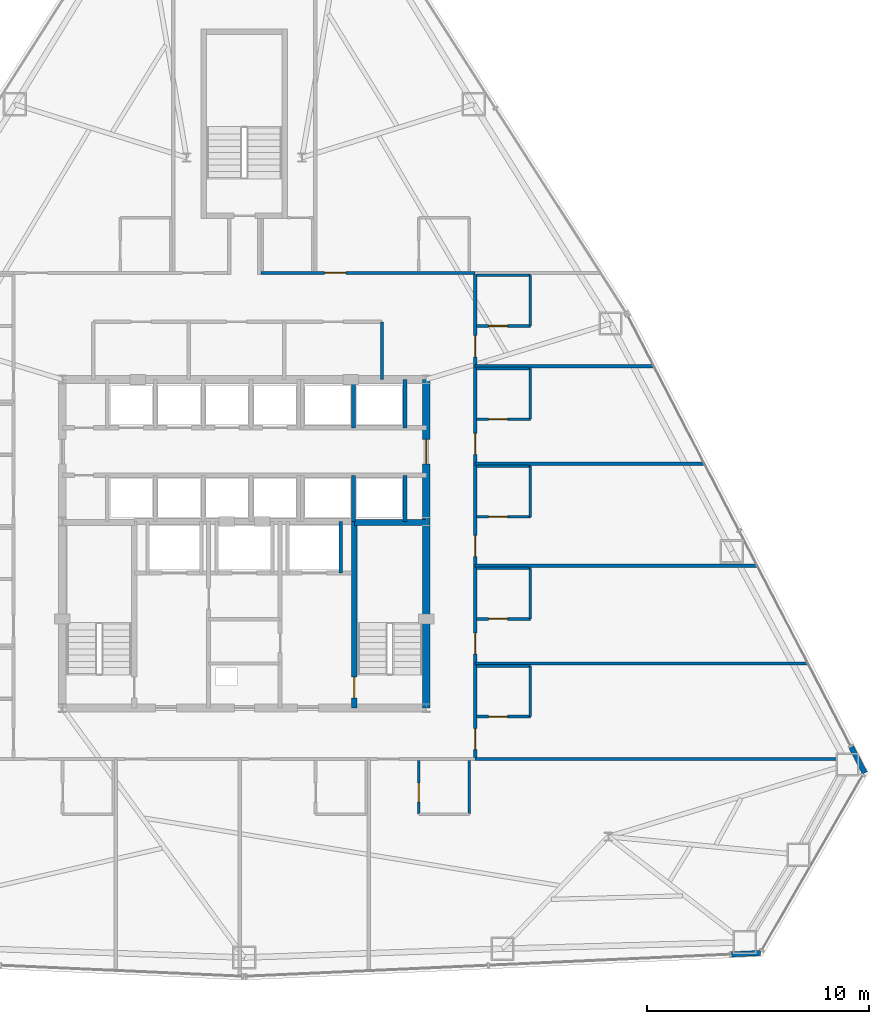
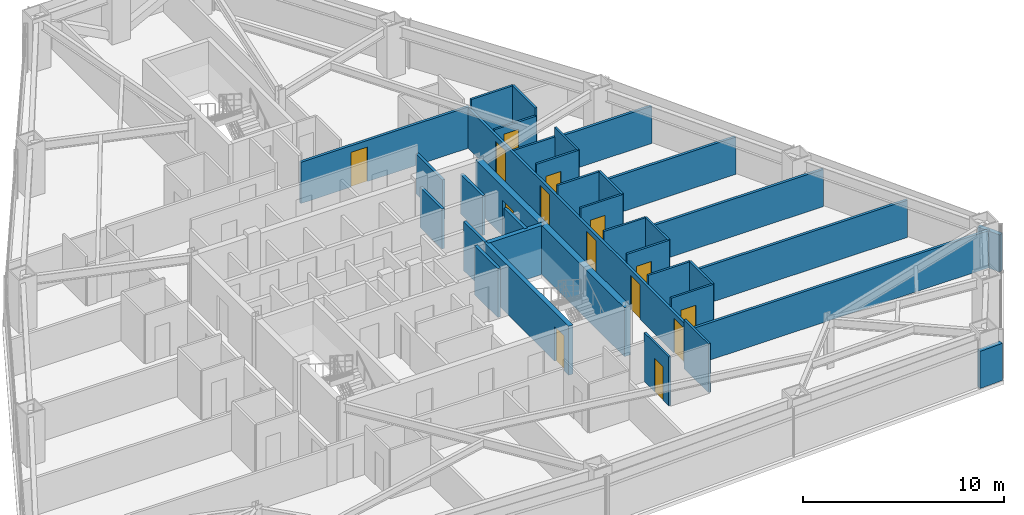
# One storey, part 11 of 13: 35 walls, 14 doors, 14 openings.
"""IFC4 building model written with IfcOpenShell, lengths in metres."""

import ifcopenshell
import ifcopenshell.guid

model = None  # the IFC model being written
_history = None  # IfcOwnerHistory: only IFC2X3 demands one
_inside = {}  # id of a spatial element -> (the spatial element, [elements in it])
_under = {}  # id of a project, library or spatial element -> (it, [spatial elements below it])
_declared = {}  # id of a project -> (the project, [libraries it declares])
_typed = {}  # id of a type object -> (the type object, [elements of that type])
_made_of = {}  # id of a material, layer set ... -> (it, [elements and type objects made of it])


def new_model(schema):
    """Start an empty IFC model of exactly this schema.

    Asked for "IFC4X3", IfcOpenShell would pick the latest addendum, in which some entities
    have other attributes; the version numbers below select the first issue.
    IFC2X3 requires an IfcOwnerHistory on every rooted entity: one is made here for all.
    """
    global model, _history
    if schema == "IFC4X3":
        model = ifcopenshell.file(schema_version=(4, 3, 0, 0))
    else:
        model = ifcopenshell.file(schema=schema)
    _inside.clear()
    _under.clear()
    _declared.clear()
    _typed.clear()
    _made_of.clear()
    _history = None
    if model.schema == "IFC2X3":
        org = make("IfcOrganization", Name="unknown")
        user = make(
            "IfcPersonAndOrganization",
            ThePerson=make("IfcPerson", FamilyName="unknown"),
            TheOrganization=org,
        )
        app = make(
            "IfcApplication",
            ApplicationDeveloper=org,
            Version="unknown",
            ApplicationFullName="unknown",
            ApplicationIdentifier="unknown",
        )
        _history = make(
            "IfcOwnerHistory",
            OwningUser=user,
            OwningApplication=app,
            ChangeAction="ADDED",
            CreationDate=0,
        )
    return model


def make(cls, **values):
    """One entity of the class cls with the attributes given. An attribute that is None is left unset."""
    return model.create_entity(
        cls, **{name: value for name, value in values.items() if value is not None}
    )


def rooted(cls, **values):
    """An entity with a GlobalId (a new one), such as an element, a storey or a relation."""
    return make(cls, GlobalId=ifcopenshell.guid.new(), OwnerHistory=_history, **values)


def si_unit(unit_type, name, prefix=None):
    """IfcSIUnit, for example si_unit("LENGTHUNIT", "METRE", prefix="MILLI")."""
    return make("IfcSIUnit", UnitType=unit_type, Prefix=prefix, Name=name)


def assignment(units):
    """IfcUnitAssignment: the units of a project."""
    return None if units is None else make("IfcUnitAssignment", Units=units)


def point(xyz):
    """IfcCartesianPoint."""
    return None if xyz is None else make("IfcCartesianPoint", Coordinates=xyz)


def direction(xyz):
    """IfcDirection."""
    return None if xyz is None else make("IfcDirection", DirectionRatios=xyz)


def frame(location, z_axis=None, x_axis=None):
    """IfcAxis2Placement3D, a coordinate frame: its origin and axes. An axis left out is left unset."""
    return make(
        "IfcAxis2Placement3D",
        Location=point(location),
        Axis=direction(z_axis),
        RefDirection=direction(x_axis),
    )


def frame_2d(location, x_axis=None):
    """IfcAxis2Placement2D, a coordinate frame in the plane: its origin and x axis."""
    return make(
        "IfcAxis2Placement2D", Location=point(location), RefDirection=direction(x_axis)
    )


def origin():
    """The frame at (0, 0, 0) with its axes left unset."""
    return frame((0.0, 0.0, 0.0))


def place(relative_to, where):
    """IfcLocalPlacement: puts the frame where relative to a parent placement (None: the world)."""
    return make(
        "IfcLocalPlacement", PlacementRelTo=relative_to, RelativePlacement=where
    )


def context(
    kind, dimensions, precision=None, world=None, true_north=None, identifier=None
):
    """IfcGeometricRepresentationContext, for example the 3D "Model" context."""
    return make(
        "IfcGeometricRepresentationContext",
        ContextIdentifier=identifier,
        ContextType=kind,
        CoordinateSpaceDimension=dimensions,
        Precision=precision,
        WorldCoordinateSystem=world,
        TrueNorth=true_north,
    )


def subcontext(parent, identifier, kind, view, scale=None):
    """IfcGeometricRepresentationSubContext, for example "Body" below "Model"."""
    return make(
        "IfcGeometricRepresentationSubContext",
        ContextIdentifier=identifier,
        ContextType=kind,
        ParentContext=parent,
        TargetScale=scale,
        TargetView=view,
    )


def project(units=None, contexts=None):
    """IfcProject with its units and contexts."""
    return rooted(
        "IfcProject",
        Name="project",
        RepresentationContexts=contexts,
        UnitsInContext=assignment(units),
    )


def spatial(cls, under=None, at=None, **own):
    """A site, building, storey or space (cls), placed at a placement, below another one or the project."""
    s = rooted(cls, ObjectPlacement=at, **own)
    if under is not None:
        _under.setdefault(under.id(), (under, []))[1].append(s)
    return s


def profile(cls, at=None, kind="AREA", **sizes):
    """A parametric profile (cls). Its sizes go by their IFC names, for example OverallWidth=200.0."""
    return make(cls, ProfileType=kind, Position=at, **sizes)


def rectangle(**sizes):
    """IfcRectangleProfileDef."""
    return profile("IfcRectangleProfileDef", **sizes)


def extrude(swept, where, along, depth):
    """IfcExtrudedAreaSolid: the profile swept, set in the frame where, extruded along a direction by depth."""
    return make(
        "IfcExtrudedAreaSolid",
        SweptArea=swept,
        Position=where,
        ExtrudedDirection=direction(along),
        Depth=depth,
    )


def shape(context_of_items, identifier, shape_type, items):
    """IfcShapeRepresentation: the items that make up one representation, for example the "Body"."""
    return make(
        "IfcShapeRepresentation",
        ContextOfItems=context_of_items,
        RepresentationIdentifier=identifier,
        RepresentationType=shape_type,
        Items=items,
    )


def material(Name=None, Category=None):
    """IfcMaterial."""
    return make("IfcMaterial", Name=Name, Category=Category)


def layer(
    of_material, thickness, ventilated=None, Name=None, Category=None, Priority=None
):
    """IfcMaterialLayer: one layer of a wall or slab, of a material (None: an air gap)."""
    return make(
        "IfcMaterialLayer",
        Material=of_material,
        LayerThickness=thickness,
        IsVentilated=ventilated,
        Name=Name,
        Category=Category,
        Priority=Priority,
    )


def layer_set(layers, Name=None):
    """IfcMaterialLayerSet."""
    return make("IfcMaterialLayerSet", MaterialLayers=layers, LayerSetName=Name)


def made_of(thing, what):
    """Note that an element or type object is made of a material, layer set ...; save() writes the relation."""
    if what is not None:
        _made_of.setdefault(what.id(), (what, []))[1].append(thing)
    return thing


def type_object(cls, material=None, **own):
    """A type object (cls), such as IfcWallType, which elements share."""
    return made_of(rooted(cls, **own), material)


def element(
    cls,
    number,
    at=None,
    inside=None,
    cuts=None,
    type_object=None,
    material=None,
    context=None,
    identifier="Body",
    shape_type=None,
    held_by="IfcProductDefinitionShape",
    body=None,
    shapes=None,
    **own,
):
    """One element of the class cls, such as IfcWall. Its Tag is "e" and its number.

    at: its placement. inside: the storey or other place that contains it. cuts: it is an
    opening in that element (IfcRelVoidsElement). A single representation is given by context,
    identifier, shape_type and body (its items); several are given by shapes. held_by: the class
    of the entity that holds the representations. save() writes the other relations.
    """
    e = rooted(cls, Tag="e%d" % number, ObjectPlacement=at, **own)
    if body is not None:
        shapes = [shape(context, identifier, shape_type, body)]
    if shapes is not None:
        e.Representation = make(held_by, Representations=shapes)
    if inside is not None:
        _inside.setdefault(inside.id(), (inside, []))[1].append(e)
    if cuts is not None:
        rooted(
            "IfcRelVoidsElement", RelatingBuildingElement=cuts, RelatedOpeningElement=e
        )
    if type_object is not None:
        _typed.setdefault(type_object.id(), (type_object, []))[1].append(e)
    return made_of(e, material)


def fill(opening, filler):
    """IfcRelFillsElement: the door or window that sits in an opening."""
    return rooted(
        "IfcRelFillsElement",
        RelatingOpeningElement=opening,
        RelatedBuildingElement=filler,
    )


def aggregate(whole, parts):
    """IfcRelAggregates: a whole, such as a stair, and the parts it consists of."""
    return rooted("IfcRelAggregates", RelatingObject=whole, RelatedObjects=parts)


def save(model, path):
    """Write the relations noted so far, then the file.

    IfcRelAggregates (storeys below a building ...), IfcRelContainedInSpatialStructure (elements
    in a storey), IfcRelDefinesByType, IfcRelAssociatesMaterial and IfcRelDeclares: one each for
    every whole, place, type object, material and project.
    """
    for whole, parts in _under.values():
        aggregate(whole, parts)
    for where, things in _inside.values():
        rooted(
            "IfcRelContainedInSpatialStructure",
            RelatedElements=things,
            RelatingStructure=where,
        )
    for kind, things in _typed.values():
        rooted("IfcRelDefinesByType", RelatedObjects=things, RelatingType=kind)
    for what, things in _made_of.values():
        rooted("IfcRelAssociatesMaterial", RelatedObjects=things, RelatingMaterial=what)
    for by, libraries in _declared.values():
        rooted("IfcRelDeclares", RelatingContext=by, RelatedDefinitions=libraries)
    model.write(path)


model = new_model("IFC4")

# Units and contexts
model_context = context("Model", 3, precision=1e-05, world=origin(), true_north=direction((0.0, 1.0)))
body_context = subcontext(model_context, "Body", "Model", "MODEL_VIEW")
ifc_project = project(units=[si_unit("LENGTHUNIT", "METRE"), si_unit("AREAUNIT", "SQUARE_METRE"), si_unit("VOLUMEUNIT", "CUBIC_METRE"), si_unit("PLANEANGLEUNIT", "RADIAN"), si_unit("MASSUNIT", "GRAM", prefix="KILO")], contexts=[model_context])

# Site, building, storey
site_placement = place(None, origin())
site = spatial("IfcSite", under=ifc_project, at=site_placement, CompositionType="ELEMENT")
building_placement = place(site_placement, origin())
building = spatial("IfcBuilding", under=site, at=building_placement, Name="Varakhsha Concourse Tower", CompositionType="ELEMENT")
storey_placement = place(building_placement, frame((0.0, 0.0, 83.0)))
storey = spatial("IfcBuildingStorey", under=building, at=storey_placement, Name="L23", CompositionType="ELEMENT", Elevation=83.0)

# Wall, opening, door
ifc_material_1 = material(Name="Concrete fc 65 MPa", Category="concrete")
ifc_layer_1 = layer(ifc_material_1, 0.35009765625, Name="WL-CORE-350")
ifc_layer_set_1 = layer_set([ifc_layer_1], Name="Concrete fc 65 MPa")
wall_type_1 = type_object("IfcWallType", Name="WL-CORE-350", PredefinedType="SHEAR", material=ifc_layer_set_1)
wall_1_placement = place(storey_placement, frame((48.199951171875, 16.39990234375, 0.0), z_axis=(0.0, 0.0, 1.0), x_axis=(0.0, 1.0, 0.0)))
wall_1 = element("IfcWall", 1, at=wall_1_placement, inside=storey, type_object=wall_type_1, Name="L23 Wall CWALL-E-L23", PredefinedType="SHEAR", context=body_context, shape_type="SweptSolid", body=[
    extrude(rectangle(XDim=14.800048828125, YDim=0.35009765625, at=frame_2d((7.39990234375, 0.0))), origin(), (0.0, 0.0, 1.0), 2.969970703125),
])
opening_1_placement = place(wall_1_placement, frame((11.0, 0.0, 0.0)))
opening_1 = element("IfcOpeningElement", 2, at=opening_1_placement, cuts=wall_1, Name="Opening DL-01", PredefinedType="OPENING", context=body_context, shape_type="SweptSolid", body=[
    extrude(rectangle(XDim=1.10009765625, YDim=2.14990234375, at=frame_2d((0.550048828125, 1.074951171875))), frame((0.0, 0.18505859375, 0.0), z_axis=(0.0, -1.0, 0.0), x_axis=(1.0, 0.0, 0.0)), (0.0, 0.0, 1.0), 0.3701171875),
])
ifc_material_2 = material(Name="Anodised Bronze Architectural Aluminium AA 6063-T6", Category="aluminium")
door_type_1 = type_object("IfcDoorType", Name="DR-LOB-1100", OperationType="NOTDEFINED", PredefinedType="DOOR", material=ifc_material_2)
door_1_placement = place(opening_1_placement, origin())
door_1 = element("IfcDoor", 3, at=door_1_placement, inside=storey, type_object=door_type_1, Name="L23 Lift Lobby East Concourse Door", OperationType="SINGLE_SWING_RIGHT", OverallHeight=2.14990234375, OverallWidth=1.10009765625, PredefinedType="DOOR", context=body_context, shape_type="SweptSolid", body=[
    extrude(rectangle(XDim=1.10009765625, YDim=2.14990234375, at=frame_2d((0.550048828125, 1.074951171875))), frame((0.0, 0.02490234375, 0.0), z_axis=(0.0, -1.0, 0.0), x_axis=(1.0, 0.0, 0.0)), (0.0, 0.0, 1.0), 0.050048828125),
])
fill(opening_1, door_1)

# Walls
ifc_material_3 = material(Name="Concrete fc 45 MPa", Category="concrete")
ifc_layer_2 = layer(ifc_material_3, 0.239990234375, Name="WL-EXT-CRN-240")
ifc_layer_set_2 = layer_set([ifc_layer_2], Name="Concrete fc 45 MPa")
wall_type_2 = type_object("IfcWallType", Name="WL-EXT-CRN-240", PredefinedType="SHEAR", material=ifc_layer_set_2)
wall_2_placement = place(storey_placement, frame((61.94921875, 5.297119140625, 0.0), z_axis=(0.0, 0.0, 1.0), x_axis=(0.998967392838, 0.045432896092, 0.0)))
element("IfcWall", 4, at=wall_2_placement, inside=storey, type_object=wall_type_2, Name="L23 Wind-Corner Shoulder Wall F6", PredefinedType="SHEAR", context=body_context, shape_type="SweptSolid", body=[
    extrude(rectangle(XDim=1.316650390625, YDim=0.239990234375, at=frame_2d((0.658203125, 0.0))), origin(), (0.0, 0.0, 1.0), 2.2529296875),
])
wall_3_placement = place(storey_placement, frame((67.951416015625, 13.47314453125, 0.0), z_axis=(0.0, 0.0, 1.0), x_axis=(-0.460138651144, 0.887847071135, 0.0)))
element("IfcWall", 5, at=wall_3_placement, inside=storey, type_object=wall_type_2, Name="L23 Wind-Corner Shoulder Wall F8", PredefinedType="SHEAR", context=body_context, shape_type="SweptSolid", body=[
    extrude(rectangle(XDim=1.3173828125, YDim=0.239990234375, at=frame_2d((0.65869140625, 0.0))), origin(), (0.0, 0.0, 1.0), 2.2529296875),
])

# Wall, opening, door
ifc_material_4 = material(Name="Acoustic Gypsum Board Partition Assembly", Category="gypsum")
ifc_layer_3 = layer(ifc_material_4, 0.1201171875, Name="WL-PART-120")
ifc_layer_set_3 = layer_set([ifc_layer_3], Name="Acoustic Gypsum Board Partition Assembly")
wall_type_3 = type_object("IfcWallType", Name="WL-PART-120", PredefinedType="PARTITIONING", material=ifc_layer_set_3)
wall_4_placement = place(storey_placement, frame((47.860107421875, 11.610107421875, 0.0), z_axis=(0.0, 0.0, 1.0), x_axis=(0.0, 1.0, 0.0)))
wall_4 = element("IfcWall", 6, at=wall_4_placement, inside=storey, type_object=wall_type_3, Name="L23 Wall ENSW-W-L23-H04", PredefinedType="PARTITIONING", context=body_context, shape_type="SweptSolid", body=[
    extrude(rectangle(XDim=2.429931640625, YDim=0.1201171875, at=frame_2d((1.21484375, 0.0))), origin(), (0.0, 0.0, 1.0), 2.969970703125),
])
opening_2_placement = place(wall_4_placement, frame((0.550048828125, 0.0, 0.0)))
opening_2 = element("IfcOpeningElement", 7, at=opening_2_placement, cuts=wall_4, Name="Opening DI-01", PredefinedType="OPENING", context=body_context, shape_type="SweptSolid", body=[
    extrude(rectangle(XDim=0.85009765625, YDim=2.050048828125, at=frame_2d((0.425048828125, 1.02490234375))), frame((0.0, 0.070068359375, 0.0), z_axis=(0.0, -1.0, 0.0), x_axis=(1.0, 0.0, 0.0)), (0.0, 0.0, 1.0), 0.14013671875),
])
ifc_material_5 = material(Name="Architectural Walnut Acoustic Timber Door", Category="wood")
door_type_2 = type_object("IfcDoorType", Name="DR-INT-850", OperationType="NOTDEFINED", PredefinedType="DOOR", material=ifc_material_5)
door_2_placement = place(opening_2_placement, origin())
door_2 = element("IfcDoor", 8, at=door_2_placement, inside=storey, type_object=door_type_2, Name="L23 En-suite Bathroom Door L23-H04", OperationType="SINGLE_SWING_RIGHT", OverallHeight=2.050048828125, OverallWidth=0.85009765625, PredefinedType="DOOR", context=body_context, shape_type="SweptSolid", body=[
    extrude(rectangle(XDim=0.85009765625, YDim=2.050048828125, at=frame_2d((0.425048828125, 1.02490234375))), frame((0.0, 0.02490234375, 0.0), z_axis=(0.0, -1.0, 0.0), x_axis=(1.0, 0.0, 0.0)), (0.0, 0.0, 1.0), 0.050048828125),
])
fill(opening_2, door_2)

# Walls
wall_5_placement = place(storey_placement, frame((50.139892578125, 11.610107421875, 0.0), z_axis=(0.0, 0.0, 1.0), x_axis=(0.0, 1.0, 0.0)))
element("IfcWall", 9, at=wall_5_placement, inside=storey, type_object=wall_type_3, Name="L23 Wall ENSW-E-L23-H04", PredefinedType="PARTITIONING", context=body_context, shape_type="SweptSolid", body=[
    extrude(rectangle(XDim=2.429931640625, YDim=0.1201171875, at=frame_2d((1.21484375, 0.0))), origin(), (0.0, 0.0, 1.0), 2.969970703125),
])
wall_6_placement = place(storey_placement, frame((52.889892578125, 16.010009765625, 0.0), z_axis=(0.0, 0.0, 1.0), x_axis=(0.0, 1.0, 0.0)))
element("IfcWall", 10, at=wall_6_placement, inside=storey, type_object=wall_type_3, Name="L23 Wall ENSW-E-L23-H09", PredefinedType="PARTITIONING", context=body_context, shape_type="SweptSolid", body=[
    extrude(rectangle(XDim=2.280029296875, YDim=0.1201171875, at=frame_2d((1.14013671875, 0.0))), origin(), (0.0, 0.0, 1.0), 2.969970703125),
])

# Wall, opening, door
wall_7_placement = place(storey_placement, frame((50.4599609375, 16.010009765625, 0.0), z_axis=(0.0, 0.0, 1.0), x_axis=(1.0, 0.0, 0.0)))
wall_7 = element("IfcWall", 11, at=wall_7_placement, inside=storey, type_object=wall_type_3, Name="L23 Wall ENSW-S-L23-H09", PredefinedType="PARTITIONING", context=body_context, shape_type="SweptSolid", body=[
    extrude(rectangle(XDim=2.429931640625, YDim=0.1201171875, at=frame_2d((1.21484375, 0.0))), origin(), (0.0, 0.0, 1.0), 2.969970703125),
])
opening_3_placement = place(wall_7_placement, frame((0.550048828125, 0.0, 0.0)))
opening_3 = element("IfcOpeningElement", 12, at=opening_3_placement, cuts=wall_7, Name="Opening DI-01", PredefinedType="OPENING", context=body_context, shape_type="SweptSolid", body=[
    extrude(rectangle(XDim=0.85009765625, YDim=2.050048828125, at=frame_2d((0.425048828125, 1.02490234375))), frame((0.0, 0.070068359375, 0.0), z_axis=(0.0, -1.0, 0.0), x_axis=(1.0, 0.0, 0.0)), (0.0, 0.0, 1.0), 0.14013671875),
])
door_3_placement = place(opening_3_placement, origin())
door_3 = element("IfcDoor", 13, at=door_3_placement, inside=storey, type_object=door_type_2, Name="L23 En-suite Bathroom Door L23-H09", OperationType="SINGLE_SWING_RIGHT", OverallHeight=2.050048828125, OverallWidth=0.85009765625, PredefinedType="DOOR", context=body_context, shape_type="SweptSolid", body=[
    extrude(rectangle(XDim=0.85009765625, YDim=2.050048828125, at=frame_2d((0.425048828125, 1.02490234375))), frame((0.0, 0.02490234375, 0.0), z_axis=(0.0, -1.0, 0.0), x_axis=(1.0, 0.0, 0.0)), (0.0, 0.0, 1.0), 0.050048828125),
])
fill(opening_3, door_3)

# Walls
wall_8_placement = place(storey_placement, frame((50.4599609375, 18.2900390625, 0.0), z_axis=(0.0, 0.0, 1.0), x_axis=(1.0, 0.0, 0.0)))
element("IfcWall", 14, at=wall_8_placement, inside=storey, type_object=wall_type_3, Name="L23 Wall ENSW-N-L23-H09", PredefinedType="PARTITIONING", context=body_context, shape_type="SweptSolid", body=[
    extrude(rectangle(XDim=2.429931640625, YDim=0.1201171875, at=frame_2d((1.21484375, 0.0))), origin(), (0.0, 0.0, 1.0), 2.969970703125),
])
wall_9_placement = place(storey_placement, frame((52.889892578125, 20.409912109375, 0.0), z_axis=(0.0, 0.0, 1.0), x_axis=(0.0, 1.0, 0.0)))
element("IfcWall", 15, at=wall_9_placement, inside=storey, type_object=wall_type_3, Name="L23 Wall ENSW-E-L23-H10", PredefinedType="PARTITIONING", context=body_context, shape_type="SweptSolid", body=[
    extrude(rectangle(XDim=2.280029296875, YDim=0.1201171875, at=frame_2d((1.14013671875, 0.0))), origin(), (0.0, 0.0, 1.0), 2.969970703125),
])

# Wall, opening, door
wall_10_placement = place(storey_placement, frame((50.4599609375, 20.409912109375, 0.0), z_axis=(0.0, 0.0, 1.0), x_axis=(1.0, 0.0, 0.0)))
wall_10 = element("IfcWall", 16, at=wall_10_placement, inside=storey, type_object=wall_type_3, Name="L23 Wall ENSW-S-L23-H10", PredefinedType="PARTITIONING", context=body_context, shape_type="SweptSolid", body=[
    extrude(rectangle(XDim=2.429931640625, YDim=0.1201171875, at=frame_2d((1.21484375, 0.0))), origin(), (0.0, 0.0, 1.0), 2.969970703125),
])
opening_4_placement = place(wall_10_placement, frame((0.550048828125, 0.0, 0.0)))
opening_4 = element("IfcOpeningElement", 17, at=opening_4_placement, cuts=wall_10, Name="Opening DI-01", PredefinedType="OPENING", context=body_context, shape_type="SweptSolid", body=[
    extrude(rectangle(XDim=0.85009765625, YDim=2.050048828125, at=frame_2d((0.425048828125, 1.02490234375))), frame((0.0, 0.070068359375, 0.0), z_axis=(0.0, -1.0, 0.0), x_axis=(1.0, 0.0, 0.0)), (0.0, 0.0, 1.0), 0.14013671875),
])
door_4_placement = place(opening_4_placement, origin())
door_4 = element("IfcDoor", 18, at=door_4_placement, inside=storey, type_object=door_type_2, Name="L23 En-suite Bathroom Door L23-H10", OperationType="SINGLE_SWING_RIGHT", OverallHeight=2.050048828125, OverallWidth=0.85009765625, PredefinedType="DOOR", context=body_context, shape_type="SweptSolid", body=[
    extrude(rectangle(XDim=0.85009765625, YDim=2.050048828125, at=frame_2d((0.425048828125, 1.02490234375))), frame((0.0, 0.02490234375, 0.0), z_axis=(0.0, -1.0, 0.0), x_axis=(1.0, 0.0, 0.0)), (0.0, 0.0, 1.0), 0.050048828125),
])
fill(opening_4, door_4)

# Walls
wall_11_placement = place(storey_placement, frame((50.4599609375, 22.68994140625, 0.0), z_axis=(0.0, 0.0, 1.0), x_axis=(1.0, 0.0, 0.0)))
element("IfcWall", 19, at=wall_11_placement, inside=storey, type_object=wall_type_3, Name="L23 Wall ENSW-N-L23-H10", PredefinedType="PARTITIONING", context=body_context, shape_type="SweptSolid", body=[
    extrude(rectangle(XDim=2.429931640625, YDim=0.1201171875, at=frame_2d((1.21484375, 0.0))), origin(), (0.0, 0.0, 1.0), 2.969970703125),
])
wall_12_placement = place(storey_placement, frame((52.889892578125, 25.010009765625, 0.0), z_axis=(0.0, 0.0, 1.0), x_axis=(0.0, 1.0, 0.0)))
element("IfcWall", 20, at=wall_12_placement, inside=storey, type_object=wall_type_3, Name="L23 Wall ENSW-E-L23-H11", PredefinedType="PARTITIONING", context=body_context, shape_type="SweptSolid", body=[
    extrude(rectangle(XDim=2.280029296875, YDim=0.1201171875, at=frame_2d((1.14013671875, 0.0))), origin(), (0.0, 0.0, 1.0), 2.969970703125),
])

# Wall, opening, door
wall_13_placement = place(storey_placement, frame((50.4599609375, 25.010009765625, 0.0), z_axis=(0.0, 0.0, 1.0), x_axis=(1.0, 0.0, 0.0)))
wall_13 = element("IfcWall", 21, at=wall_13_placement, inside=storey, type_object=wall_type_3, Name="L23 Wall ENSW-S-L23-H11", PredefinedType="PARTITIONING", context=body_context, shape_type="SweptSolid", body=[
    extrude(rectangle(XDim=2.429931640625, YDim=0.1201171875, at=frame_2d((1.21484375, 0.0))), origin(), (0.0, 0.0, 1.0), 2.969970703125),
])
opening_5_placement = place(wall_13_placement, frame((0.550048828125, 0.0, 0.0)))
opening_5 = element("IfcOpeningElement", 22, at=opening_5_placement, cuts=wall_13, Name="Opening DI-01", PredefinedType="OPENING", context=body_context, shape_type="SweptSolid", body=[
    extrude(rectangle(XDim=0.85009765625, YDim=2.050048828125, at=frame_2d((0.425048828125, 1.02490234375))), frame((0.0, 0.070068359375, 0.0), z_axis=(0.0, -1.0, 0.0), x_axis=(1.0, 0.0, 0.0)), (0.0, 0.0, 1.0), 0.14013671875),
])
door_5_placement = place(opening_5_placement, origin())
door_5 = element("IfcDoor", 23, at=door_5_placement, inside=storey, type_object=door_type_2, Name="L23 En-suite Bathroom Door L23-H11", OperationType="SINGLE_SWING_RIGHT", OverallHeight=2.050048828125, OverallWidth=0.85009765625, PredefinedType="DOOR", context=body_context, shape_type="SweptSolid", body=[
    extrude(rectangle(XDim=0.85009765625, YDim=2.050048828125, at=frame_2d((0.425048828125, 1.02490234375))), frame((0.0, 0.02490234375, 0.0), z_axis=(0.0, -1.0, 0.0), x_axis=(1.0, 0.0, 0.0)), (0.0, 0.0, 1.0), 0.050048828125),
])
fill(opening_5, door_5)

# Walls
wall_14_placement = place(storey_placement, frame((50.4599609375, 27.2900390625, 0.0), z_axis=(0.0, 0.0, 1.0), x_axis=(1.0, 0.0, 0.0)))
element("IfcWall", 24, at=wall_14_placement, inside=storey, type_object=wall_type_3, Name="L23 Wall ENSW-N-L23-H11", PredefinedType="PARTITIONING", context=body_context, shape_type="SweptSolid", body=[
    extrude(rectangle(XDim=2.429931640625, YDim=0.1201171875, at=frame_2d((1.21484375, 0.0))), origin(), (0.0, 0.0, 1.0), 2.969970703125),
])
wall_15_placement = place(storey_placement, frame((52.889892578125, 29.409912109375, 0.0), z_axis=(0.0, 0.0, 1.0), x_axis=(0.0, 1.0, 0.0)))
element("IfcWall", 25, at=wall_15_placement, inside=storey, type_object=wall_type_3, Name="L23 Wall ENSW-E-L23-H12", PredefinedType="PARTITIONING", context=body_context, shape_type="SweptSolid", body=[
    extrude(rectangle(XDim=2.280029296875, YDim=0.1201171875, at=frame_2d((1.14013671875, 0.0))), origin(), (0.0, 0.0, 1.0), 2.969970703125),
])

# Wall, opening, door
wall_16_placement = place(storey_placement, frame((50.4599609375, 29.409912109375, 0.0), z_axis=(0.0, 0.0, 1.0), x_axis=(1.0, 0.0, 0.0)))
wall_16 = element("IfcWall", 26, at=wall_16_placement, inside=storey, type_object=wall_type_3, Name="L23 Wall ENSW-S-L23-H12", PredefinedType="PARTITIONING", context=body_context, shape_type="SweptSolid", body=[
    extrude(rectangle(XDim=2.429931640625, YDim=0.1201171875, at=frame_2d((1.21484375, 0.0))), origin(), (0.0, 0.0, 1.0), 2.969970703125),
])
opening_6_placement = place(wall_16_placement, frame((0.550048828125, 0.0, 0.0)))
opening_6 = element("IfcOpeningElement", 27, at=opening_6_placement, cuts=wall_16, Name="Opening DI-01", PredefinedType="OPENING", context=body_context, shape_type="SweptSolid", body=[
    extrude(rectangle(XDim=0.85009765625, YDim=2.050048828125, at=frame_2d((0.425048828125, 1.02490234375))), frame((0.0, 0.070068359375, 0.0), z_axis=(0.0, -1.0, 0.0), x_axis=(1.0, 0.0, 0.0)), (0.0, 0.0, 1.0), 0.14013671875),
])
door_6_placement = place(opening_6_placement, origin())
door_6 = element("IfcDoor", 28, at=door_6_placement, inside=storey, type_object=door_type_2, Name="L23 En-suite Bathroom Door L23-H12", OperationType="SINGLE_SWING_RIGHT", OverallHeight=2.050048828125, OverallWidth=0.85009765625, PredefinedType="DOOR", context=body_context, shape_type="SweptSolid", body=[
    extrude(rectangle(XDim=0.85009765625, YDim=2.050048828125, at=frame_2d((0.425048828125, 1.02490234375))), frame((0.0, 0.02490234375, 0.0), z_axis=(0.0, -1.0, 0.0), x_axis=(1.0, 0.0, 0.0)), (0.0, 0.0, 1.0), 0.050048828125),
])
fill(opening_6, door_6)

# Walls
wall_17_placement = place(storey_placement, frame((50.4599609375, 31.68994140625, 0.0), z_axis=(0.0, 0.0, 1.0), x_axis=(1.0, 0.0, 0.0)))
element("IfcWall", 29, at=wall_17_placement, inside=storey, type_object=wall_type_3, Name="L23 Wall ENSW-N-L23-H12", PredefinedType="PARTITIONING", context=body_context, shape_type="SweptSolid", body=[
    extrude(rectangle(XDim=2.429931640625, YDim=0.1201171875, at=frame_2d((1.21484375, 0.0))), origin(), (0.0, 0.0, 1.0), 2.4208984375),
])
wall_18_placement = place(storey_placement, frame((52.889892578125, 33.610107421875, 0.0), z_axis=(0.0, 0.0, 1.0), x_axis=(0.0, 1.0, 0.0)))
element("IfcWall", 30, at=wall_18_placement, inside=storey, type_object=wall_type_3, Name="L23 Wall ENSW-E-L23-H13", PredefinedType="PARTITIONING", context=body_context, shape_type="SweptSolid", body=[
    extrude(rectangle(XDim=2.27978515625, YDim=0.1201171875, at=frame_2d((1.139892578125, 0.0))), origin(), (0.0, 0.0, 1.0), 2.969970703125),
])

# Wall, opening, door
wall_19_placement = place(storey_placement, frame((50.4599609375, 33.610107421875, 0.0), z_axis=(0.0, 0.0, 1.0), x_axis=(1.0, 0.0, 0.0)))
wall_19 = element("IfcWall", 31, at=wall_19_placement, inside=storey, type_object=wall_type_3, Name="L23 Wall ENSW-S-L23-H13", PredefinedType="PARTITIONING", context=body_context, shape_type="SweptSolid", body=[
    extrude(rectangle(XDim=2.429931640625, YDim=0.1201171875, at=frame_2d((1.21484375, 0.0))), origin(), (0.0, 0.0, 1.0), 2.5029296875),
])
opening_7_placement = place(wall_19_placement, frame((0.550048828125, 0.0, 0.0)))
opening_7 = element("IfcOpeningElement", 32, at=opening_7_placement, cuts=wall_19, Name="Opening DI-01", PredefinedType="OPENING", context=body_context, shape_type="SweptSolid", body=[
    extrude(rectangle(XDim=0.85009765625, YDim=2.050048828125, at=frame_2d((0.425048828125, 1.02490234375))), frame((0.0, 0.070068359375, 0.0), z_axis=(0.0, -1.0, 0.0), x_axis=(1.0, 0.0, 0.0)), (0.0, 0.0, 1.0), 0.14013671875),
])
door_7_placement = place(opening_7_placement, origin())
door_7 = element("IfcDoor", 33, at=door_7_placement, inside=storey, type_object=door_type_2, Name="L23 En-suite Bathroom Door L23-H13", OperationType="SINGLE_SWING_RIGHT", OverallHeight=2.050048828125, OverallWidth=0.85009765625, PredefinedType="DOOR", context=body_context, shape_type="SweptSolid", body=[
    extrude(rectangle(XDim=0.85009765625, YDim=2.050048828125, at=frame_2d((0.425048828125, 1.02490234375))), frame((0.0, 0.02490234375, 0.0), z_axis=(0.0, -1.0, 0.0), x_axis=(1.0, 0.0, 0.0)), (0.0, 0.0, 1.0), 0.050048828125),
])
fill(opening_7, door_7)

# Walls
wall_20_placement = place(storey_placement, frame((50.4599609375, 35.889892578125, 0.0), z_axis=(0.0, 0.0, 1.0), x_axis=(1.0, 0.0, 0.0)))
element("IfcWall", 34, at=wall_20_placement, inside=storey, type_object=wall_type_3, Name="L23 Wall ENSW-N-L23-H13", PredefinedType="PARTITIONING", context=body_context, shape_type="SweptSolid", body=[
    extrude(rectangle(XDim=2.429931640625, YDim=0.1201171875, at=frame_2d((1.21484375, 0.0))), origin(), (0.0, 0.0, 1.0), 2.969970703125),
])
ifc_material_6 = material(Name="Fire-Rated Type X Gypsum Partition Assembly", Category="gypsum")
ifc_layer_4 = layer(ifc_material_6, 0.14990234375, Name="WL-PART-150")
ifc_layer_set_4 = layer_set([ifc_layer_4], Name="Fire-Rated Type X Gypsum Partition Assembly")
wall_type_4 = type_object("IfcWallType", Name="WL-PART-150", PredefinedType="PARTITIONING", material=ifc_layer_set_4)
wall_21_placement = place(storey_placement, frame((46.199951171875, 31.199951171875, 0.0), z_axis=(0.0, 0.0, 1.0), x_axis=(0.0, 1.0, 0.0)))
element("IfcWall", 35, at=wall_21_placement, inside=storey, type_object=wall_type_4, Name="L23 Wall NBOH-E-L23", PredefinedType="PARTITIONING", context=body_context, shape_type="SweptSolid", body=[
    extrude(rectangle(XDim=2.60009765625, YDim=0.14990234375, at=frame_2d((1.300048828125, 0.0))), origin(), (0.0, 0.0, 1.0), 2.4208984375),
])

# Wall, opening, door
wall_22_placement = place(storey_placement, frame((40.75, 36.0, 0.0), z_axis=(0.0, 0.0, 1.0), x_axis=(1.0, 0.0, 0.0)))
wall_22 = element("IfcWall", 36, at=wall_22_placement, inside=storey, type_object=wall_type_4, Name="L23 Wall CRW-N-L23-B", PredefinedType="PARTITIONING", context=body_context, shape_type="SweptSolid", body=[
    extrude(rectangle(XDim=9.64990234375, YDim=0.14990234375, at=frame_2d((4.824951171875, 0.0))), origin(), (0.0, 0.0, 1.0), 2.5029296875),
])
opening_8_placement = place(wall_22_placement, frame((2.8701171875, 0.0, 0.0)))
opening_8 = element("IfcOpeningElement", 37, at=opening_8_placement, cuts=wall_22, Name="Opening DF-05", PredefinedType="OPENING", context=body_context, shape_type="SweptSolid", body=[
    extrude(rectangle(XDim=0.949951171875, YDim=2.10009765625, at=frame_2d((0.47509765625, 1.050048828125))), frame((0.0, 0.0849609375, 0.0), z_axis=(0.0, -1.0, 0.0), x_axis=(1.0, 0.0, 0.0)), (0.0, 0.0, 1.0), 0.169921875),
])
ifc_material_7 = material(Name="Hollow Galvanised Steel Fire Door Assembly", Category="steel")
door_type_3 = type_object("IfcDoorType", Name="DR-FD60-950", OperationType="NOTDEFINED", PredefinedType="DOOR", material=ifc_material_7)
door_8_placement = place(opening_8_placement, origin())
door_8 = element("IfcDoor", 38, at=door_8_placement, inside=storey, type_object=door_type_3, Name="L23 Hotel Corner Suite L23-H16 Entry Door", OperationType="SINGLE_SWING_RIGHT", OverallHeight=2.10009765625, OverallWidth=0.949951171875, PredefinedType="DOOR", context=body_context, shape_type="SweptSolid", body=[
    extrude(rectangle(XDim=0.949951171875, YDim=2.10009765625, at=frame_2d((0.47509765625, 1.050048828125))), frame((0.0, 0.02490234375, 0.0), z_axis=(0.0, -1.0, 0.0), x_axis=(1.0, 0.0, 0.0)), (0.0, 0.0, 1.0), 0.050048828125),
])
fill(opening_8, door_8)

# Wall, openings, doors
wall_23_placement = place(storey_placement, frame((50.39990234375, 14.10009765625, 0.0), z_axis=(0.0, 0.0, 1.0), x_axis=(0.0, 1.0, 0.0)))
wall_23 = element("IfcWall", 39, at=wall_23_placement, inside=storey, type_object=wall_type_4, Name="L23 Wall CRW-E-L23", PredefinedType="PARTITIONING", context=body_context, shape_type="SweptSolid", body=[
    extrude(rectangle(XDim=21.89990234375, YDim=0.14990234375, at=frame_2d((10.949951171875, 0.0))), origin(), (0.0, 0.0, 1.0), 2.4208984375),
])
opening_9_placement = place(wall_23_placement, frame((0.419921875, 0.0, 0.0)))
opening_9 = element("IfcOpeningElement", 40, at=opening_9_placement, cuts=wall_23, Name="Opening DF-05", PredefinedType="OPENING", context=body_context, shape_type="SweptSolid", body=[
    extrude(rectangle(XDim=0.949951171875, YDim=2.10009765625, at=frame_2d((0.47509765625, 1.050048828125))), frame((0.0, 0.0849609375, 0.0), z_axis=(0.0, -1.0, 0.0), x_axis=(1.0, 0.0, 0.0)), (0.0, 0.0, 1.0), 0.169921875),
])
opening_10_placement = place(wall_23_placement, frame((4.719970703125, 0.0, 0.0)))
opening_10 = element("IfcOpeningElement", 41, at=opening_10_placement, cuts=wall_23, Name="Opening DF-05", PredefinedType="OPENING", context=body_context, shape_type="SweptSolid", body=[
    extrude(rectangle(XDim=0.949951171875, YDim=2.10009765625, at=frame_2d((0.47509765625, 1.050048828125))), frame((0.0, 0.0849609375, 0.0), z_axis=(0.0, -1.0, 0.0), x_axis=(1.0, 0.0, 0.0)), (0.0, 0.0, 1.0), 0.169921875),
])
opening_11_placement = place(wall_23_placement, frame((9.1201171875, 0.0, 0.0)))
opening_11 = element("IfcOpeningElement", 42, at=opening_11_placement, cuts=wall_23, Name="Opening DF-05", PredefinedType="OPENING", context=body_context, shape_type="SweptSolid", body=[
    extrude(rectangle(XDim=0.949951171875, YDim=2.10009765625, at=frame_2d((0.47509765625, 1.050048828125))), frame((0.0, 0.0849609375, 0.0), z_axis=(0.0, -1.0, 0.0), x_axis=(1.0, 0.0, 0.0)), (0.0, 0.0, 1.0), 0.169921875),
])
opening_12_placement = place(wall_23_placement, frame((13.719970703125, 0.0, 0.0)))
opening_12 = element("IfcOpeningElement", 43, at=opening_12_placement, cuts=wall_23, Name="Opening DF-05", PredefinedType="OPENING", context=body_context, shape_type="SweptSolid", body=[
    extrude(rectangle(XDim=0.949951171875, YDim=2.10009765625, at=frame_2d((0.47509765625, 1.050048828125))), frame((0.0, 0.0849609375, 0.0), z_axis=(0.0, -1.0, 0.0), x_axis=(1.0, 0.0, 0.0)), (0.0, 0.0, 1.0), 0.169921875),
])
opening_13_placement = place(wall_23_placement, frame((18.1201171875, 0.0, 0.0)))
opening_13 = element("IfcOpeningElement", 44, at=opening_13_placement, cuts=wall_23, Name="Opening DF-05", PredefinedType="OPENING", context=body_context, shape_type="SweptSolid", body=[
    extrude(rectangle(XDim=0.949951171875, YDim=2.10009765625, at=frame_2d((0.47509765625, 1.050048828125))), frame((0.0, 0.0849609375, 0.0), z_axis=(0.0, -1.0, 0.0), x_axis=(1.0, 0.0, 0.0)), (0.0, 0.0, 1.0), 0.169921875),
])
door_9_placement = place(opening_9_placement, origin())
door_9 = element("IfcDoor", 45, at=door_9_placement, inside=storey, type_object=door_type_3, Name="L23 Hotel Corner Suite L23-H09 Entry Door", OperationType="SINGLE_SWING_LEFT", OverallHeight=2.10009765625, OverallWidth=0.949951171875, PredefinedType="DOOR", context=body_context, shape_type="SweptSolid", body=[
    extrude(rectangle(XDim=0.949951171875, YDim=2.10009765625, at=frame_2d((0.47509765625, 1.050048828125))), frame((0.0, 0.02490234375, 0.0), z_axis=(0.0, -1.0, 0.0), x_axis=(1.0, 0.0, 0.0)), (0.0, 0.0, 1.0), 0.050048828125),
])
fill(opening_9, door_9)
door_10_placement = place(opening_10_placement, origin())
door_10 = element("IfcDoor", 46, at=door_10_placement, inside=storey, type_object=door_type_3, Name="L23 Hotel Corner Suite L23-H10 Entry Door", OperationType="SINGLE_SWING_RIGHT", OverallHeight=2.10009765625, OverallWidth=0.949951171875, PredefinedType="DOOR", context=body_context, shape_type="SweptSolid", body=[
    extrude(rectangle(XDim=0.949951171875, YDim=2.10009765625, at=frame_2d((0.47509765625, 1.050048828125))), frame((0.0, 0.02490234375, 0.0), z_axis=(0.0, -1.0, 0.0), x_axis=(1.0, 0.0, 0.0)), (0.0, 0.0, 1.0), 0.050048828125),
])
fill(opening_10, door_10)
door_11_placement = place(opening_11_placement, origin())
door_11 = element("IfcDoor", 47, at=door_11_placement, inside=storey, type_object=door_type_3, Name="L23 Hotel Corner Suite L23-H11 Entry Door", OperationType="SINGLE_SWING_LEFT", OverallHeight=2.10009765625, OverallWidth=0.949951171875, PredefinedType="DOOR", context=body_context, shape_type="SweptSolid", body=[
    extrude(rectangle(XDim=0.949951171875, YDim=2.10009765625, at=frame_2d((0.47509765625, 1.050048828125))), frame((0.0, 0.02490234375, 0.0), z_axis=(0.0, -1.0, 0.0), x_axis=(1.0, 0.0, 0.0)), (0.0, 0.0, 1.0), 0.050048828125),
])
fill(opening_11, door_11)
door_12_placement = place(opening_12_placement, origin())
door_12 = element("IfcDoor", 48, at=door_12_placement, inside=storey, type_object=door_type_3, Name="L23 Hotel Guest Room L23-H12 Entry Door", OperationType="SINGLE_SWING_RIGHT", OverallHeight=2.10009765625, OverallWidth=0.949951171875, PredefinedType="DOOR", context=body_context, shape_type="SweptSolid", body=[
    extrude(rectangle(XDim=0.949951171875, YDim=2.10009765625, at=frame_2d((0.47509765625, 1.050048828125))), frame((0.0, 0.02490234375, 0.0), z_axis=(0.0, -1.0, 0.0), x_axis=(1.0, 0.0, 0.0)), (0.0, 0.0, 1.0), 0.050048828125),
])
fill(opening_12, door_12)
door_13_placement = place(opening_13_placement, origin())
door_13 = element("IfcDoor", 49, at=door_13_placement, inside=storey, type_object=door_type_3, Name="L23 Hotel Guest Room L23-H13 Entry Door", OperationType="SINGLE_SWING_LEFT", OverallHeight=2.10009765625, OverallWidth=0.949951171875, PredefinedType="DOOR", context=body_context, shape_type="SweptSolid", body=[
    extrude(rectangle(XDim=0.949951171875, YDim=2.10009765625, at=frame_2d((0.47509765625, 1.050048828125))), frame((0.0, 0.02490234375, 0.0), z_axis=(0.0, -1.0, 0.0), x_axis=(1.0, 0.0, 0.0)), (0.0, 0.0, 1.0), 0.050048828125),
])
fill(opening_13, door_13)

# Walls
wall_24_placement = place(storey_placement, frame((50.39990234375, 14.10009765625, 0.0), z_axis=(0.0, 0.0, 1.0), x_axis=(1.0, 0.0, 0.0)))
element("IfcWall", 50, at=wall_24_placement, inside=storey, type_object=wall_type_4, Name="L23 Wall HDIV-EB0-L23", PredefinedType="PARTITIONING", context=body_context, shape_type="SweptSolid", body=[
    extrude(rectangle(XDim=17.220947265625, YDim=0.14990234375, at=frame_2d((8.6103515625, 0.0))), origin(), (0.0, 0.0, 1.0), 2.258056640625),
])
wall_25_placement = place(storey_placement, frame((50.39990234375, 18.39990234375, 0.0), z_axis=(0.0, 0.0, 1.0), x_axis=(1.0, 0.0, 0.0)))
element("IfcWall", 51, at=wall_25_placement, inside=storey, type_object=wall_type_4, Name="L23 Wall HDIV-E1-L23", PredefinedType="PARTITIONING", context=body_context, shape_type="SweptSolid", body=[
    extrude(rectangle(XDim=14.9921875, YDim=0.14990234375, at=frame_2d((7.49609375, 0.0))), origin(), (0.0, 0.0, 1.0), 2.258056640625),
])
wall_26_placement = place(storey_placement, frame((50.39990234375, 22.800048828125, 0.0), z_axis=(0.0, 0.0, 1.0), x_axis=(1.0, 0.0, 0.0)))
element("IfcWall", 52, at=wall_26_placement, inside=storey, type_object=wall_type_4, Name="L23 Wall HDIV-E2-L23", PredefinedType="PARTITIONING", context=body_context, shape_type="SweptSolid", body=[
    extrude(rectangle(XDim=12.71142578125, YDim=0.14990234375, at=frame_2d((6.355712890625, 0.0))), origin(), (0.0, 0.0, 1.0), 2.258056640625),
])
wall_27_placement = place(storey_placement, frame((50.39990234375, 27.39990234375, 0.0), z_axis=(0.0, 0.0, 1.0), x_axis=(1.0, 0.0, 0.0)))
element("IfcWall", 53, at=wall_27_placement, inside=storey, type_object=wall_type_4, Name="L23 Wall HDIV-E3-L23", PredefinedType="PARTITIONING", context=body_context, shape_type="SweptSolid", body=[
    extrude(rectangle(XDim=10.3271484375, YDim=0.14990234375, at=frame_2d((5.16357421875, 0.0))), origin(), (0.0, 0.0, 1.0), 2.258056640625),
])
wall_28_placement = place(storey_placement, frame((50.39990234375, 31.800048828125, 0.0), z_axis=(0.0, 0.0, 1.0), x_axis=(1.0, 0.0, 0.0)))
element("IfcWall", 54, at=wall_28_placement, inside=storey, type_object=wall_type_4, Name="L23 Wall HDIV-E4-L23", PredefinedType="PARTITIONING", context=body_context, shape_type="SweptSolid", body=[
    extrude(rectangle(XDim=8.04638671875, YDim=0.14990234375, at=frame_2d((4.023193359375, 0.0))), origin(), (0.0, 0.0, 1.0), 2.258056640625),
])
ifc_layer_5 = layer(ifc_material_6, 0.199951171875, Name="WL-SHAFT-220")
ifc_layer_set_5 = layer_set([ifc_layer_5], Name="Fire-Rated Type X Gypsum Partition Assembly")
wall_type_5 = type_object("IfcWallType", Name="WL-SHAFT-220", PredefinedType="SOLIDWALL", material=ifc_layer_set_5)
wall_29_placement = place(storey_placement, frame((44.35009765625, 22.47998046875, 0.0), z_axis=(0.0, 0.0, 1.0), x_axis=(0.0, 1.0, 0.0)))
element("IfcWall", 55, at=wall_29_placement, inside=storey, type_object=wall_type_5, Name="L23 Wall SHW-FFL-2-E-L23", PredefinedType="SOLIDWALL", context=body_context, shape_type="SweptSolid", body=[
    extrude(rectangle(XDim=2.320068359375, YDim=0.159912109375, at=frame_2d((1.16015625, 0.0))), origin(), (0.0, 0.0, 1.0), 2.969970703125),
])
for number, where, z_axis, x_axis, name in (
    (56, (44.919921875, 29.02001953125, 0.0), (0.0, 0.0, 1.0), (0.0, 1.0, 0.0), "L23 Wall SHW-LF-P09-E-L23"),
    (57, (47.239990234375, 29.02001953125, 0.0), (0.0, 0.0, 1.0), (0.0, 1.0, 0.0), "L23 Wall SHW-LF-P10-E-L23"),
):
    element("IfcWall", number, at=place(storey_placement, frame(where, z_axis=z_axis, x_axis=x_axis)), inside=storey, type_object=wall_type_5, Name=name, PredefinedType="SOLIDWALL", context=body_context, shape_type="SweptSolid", body=[
        extrude(rectangle(XDim=2.179931640625, YDim=0.159912109375, at=frame_2d((1.08984375, 0.0))), origin(), (0.0, 0.0, 1.0), 2.4208984375),
    ])
for number, where, z_axis, x_axis, name in (
    (58, (44.919921875, 24.800048828125, 0.0), (0.0, 0.0, 1.0), (0.0, 1.0, 0.0), "L23 Wall SHW-LF-P11-E-L23"),
    (59, (47.239990234375, 24.800048828125, 0.0), (0.0, 0.0, 1.0), (0.0, 1.0, 0.0), "L23 Wall SHW-LF-P12-E-L23"),
):
    element("IfcWall", number, at=place(storey_placement, frame(where, z_axis=z_axis, x_axis=x_axis)), inside=storey, type_object=wall_type_5, Name=name, PredefinedType="SOLIDWALL", context=body_context, shape_type="SweptSolid", body=[
        extrude(rectangle(XDim=2.079833984375, YDim=0.159912109375, at=frame_2d((1.0400390625, 0.0))), origin(), (0.0, 0.0, 1.0), 2.969970703125),
    ])

# Wall, opening, door
ifc_layer_6 = layer(ifc_material_3, 0.25, Name="WL-STAIR-250")
ifc_layer_set_6 = layer_set([ifc_layer_6], Name="Concrete fc 45 MPa")
wall_type_6 = type_object("IfcWallType", Name="WL-STAIR-250", PredefinedType="SHEAR", material=ifc_layer_set_6)
wall_30_placement = place(storey_placement, frame((44.955078125, 16.39990234375, 0.0), z_axis=(0.0, 0.0, 1.0), x_axis=(0.0, 1.0, 0.0)))
wall_30 = element("IfcWall", 60, at=wall_30_placement, inside=storey, type_object=wall_type_6, Name="L23 Wall SWALL-ST2-W-L23", PredefinedType="SHEAR", context=body_context, shape_type="SweptSolid", body=[
    extrude(rectangle(XDim=8.400146484375, YDim=0.25, at=frame_2d((4.2001953125, 0.0))), origin(), (0.0, 0.0, 1.0), 2.969970703125),
])
opening_14_placement = place(wall_30_placement, frame((0.449951171875, 0.0, 0.0)))
opening_14 = element("IfcOpeningElement", 61, at=opening_14_placement, cuts=wall_30, Name="Opening DF-03", PredefinedType="OPENING", context=body_context, shape_type="SweptSolid", body=[
    extrude(rectangle(XDim=0.949951171875, YDim=2.10009765625, at=frame_2d((0.47509765625, 1.050048828125))), frame((0.0, 0.135009765625, 0.0), z_axis=(0.0, -1.0, 0.0), x_axis=(1.0, 0.0, 0.0)), (0.0, 0.0, 1.0), 0.27001953125),
])
door_type_4 = type_object("IfcDoorType", Name="DR-FD90-950", OperationType="NOTDEFINED", PredefinedType="DOOR", material=ifc_material_7)
door_14_placement = place(opening_14_placement, origin())
door_14 = element("IfcDoor", 62, at=door_14_placement, inside=storey, type_object=door_type_4, Name="L23 Stair ST2 Fire Door", OperationType="SINGLE_SWING_RIGHT", OverallHeight=2.10009765625, OverallWidth=0.949951171875, PredefinedType="DOOR", context=body_context, shape_type="SweptSolid", body=[
    extrude(rectangle(XDim=0.949951171875, YDim=2.10009765625, at=frame_2d((0.47509765625, 1.050048828125))), frame((0.0, 0.02490234375, 0.0), z_axis=(0.0, -1.0, 0.0), x_axis=(1.0, 0.0, 0.0)), (0.0, 0.0, 1.0), 0.050048828125),
])
fill(opening_14, door_14)

# Wall
wall_31_placement = place(storey_placement, frame((44.955078125, 24.7548828125, 0.0), z_axis=(0.0, 0.0, 1.0), x_axis=(1.0, 0.0, 0.0)))
element("IfcWall", 63, at=wall_31_placement, inside=storey, type_object=wall_type_6, Name="L23 Wall SWALL-ST2-N-L23", PredefinedType="SHEAR", context=body_context, shape_type="SweptSolid", body=[
    extrude(rectangle(XDim=3.244873046875, YDim=0.25, at=frame_2d((1.62255859375, 0.0))), origin(), (0.0, 0.0, 1.0), 2.969970703125),
])

save(model, "model.ifc")
